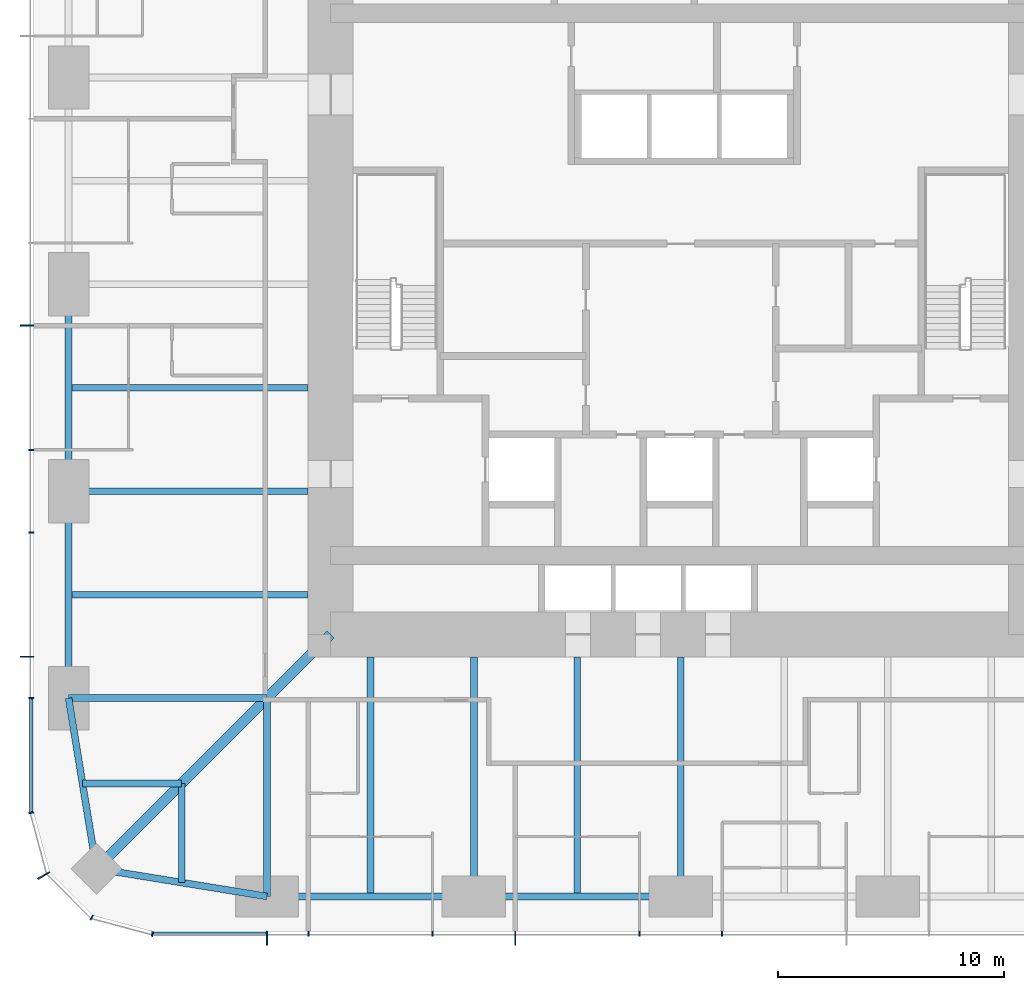
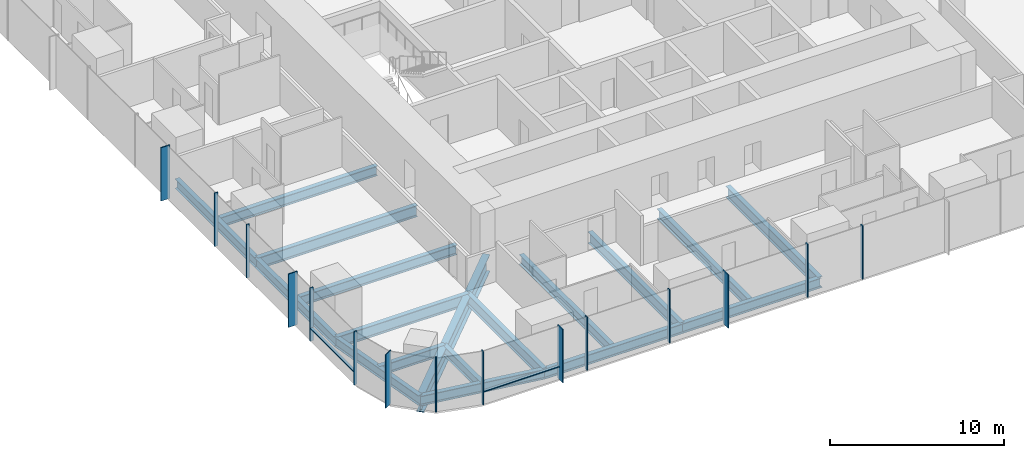
# One storey, part 2 of 13: 18 beams, 17 members, 3 elements without a shape of their own.
"""IFC4 building model written with IfcOpenShell, lengths in metres."""

from ifc_helpers import new_model, si_unit, direction, frame, origin, origin_2d, place, context, subcontext, project, spatial, rectangle, i_section, extrude, material, material_profile, profile_set, type_object, element, aggregate, save


model = new_model("IFC4")

# Units and contexts
model_context = context("Model", 3, precision=1e-05, world=origin(), true_north=direction((0.0, 1.0)))
body_context = subcontext(model_context, "Body", "Model", "MODEL_VIEW")
ifc_project = project(units=[si_unit("LENGTHUNIT", "METRE"), si_unit("AREAUNIT", "SQUARE_METRE"), si_unit("VOLUMEUNIT", "CUBIC_METRE"), si_unit("PLANEANGLEUNIT", "RADIAN"), si_unit("MASSUNIT", "GRAM", prefix="KILO")], contexts=[model_context])

# Site, building, storey
site_placement = place(None, origin())
site = spatial("IfcSite", under=ifc_project, at=site_placement, CompositionType="ELEMENT")
building_placement = place(site_placement, origin())
building = spatial("IfcBuilding", under=site, at=building_placement, Name="Khuree Lantern Residences", CompositionType="ELEMENT")
storey_placement = place(building_placement, frame((0.0, 0.0, 141.0)))
storey = spatial("IfcBuildingStorey", under=building, at=storey_placement, Name="L35", CompositionType="ELEMENT", Elevation=141.0)

# Beams
ifc_material_1 = material(Name="Steel S355", Category="steel")
ifc_material_profile_1 = material_profile(ifc_material_1, i_section(OverallWidth=0.300048828125, OverallDepth=0.68994140625, WebThickness=0.014404296875, FlangeThickness=0.027099609375, FilletRadius=0.027099609375, at=origin_2d()), Name="HE 700 A")
ifc_profile_set_1 = profile_set([ifc_material_profile_1], Name="Steel S355")
beam_type_1 = type_object("IfcBeamType", Name="B-23 SECONDARY BEAM HE 700 A", PredefinedType="BEAM", material=ifc_profile_set_1)
for number, where, z_axis, x_axis, name in (
    (1, (-4.580078125, -27.10009765625, -0.594970703125), (0.0, 1.0, 0.0), (-1.0, 0.0, 0.0), "Secondary beam S4"),
    (2, (-13.739990234375, -27.10009765625, -0.594970703125), (0.0, 1.0, 0.0), (-1.0, 0.0, 0.0), "Secondary beam S5"),
):
    element("IfcBeam", number, at=place(storey_placement, frame(where, z_axis=z_axis, x_axis=x_axis)), inside=storey, type_object=beam_type_1, Name=name, PredefinedType="BEAM", context=body_context, shape_type="SweptSolid", body=[
        extrude(i_section(OverallWidth=0.300048828125, OverallDepth=0.68994140625, WebThickness=0.014404296875, FlangeThickness=0.027099609375, FilletRadius=0.027099609375, at=origin_2d()), origin(), (0.0, 0.0, 1.0), 10.60009765625),
    ])
for number, where, z_axis, x_axis, name in (
    (3, (-22.094970703125, -26.48486328125, -0.594970703125), (0.0, 1.0, 0.0), (-1.0, 0.0, 0.0), "Secondary beam S6"),
    (4, (-26.48486328125, -22.094970703125, -0.594970703125), (1.0, 0.0, 0.0), (0.0, 1.0, 0.0), "Secondary beam W1"),
):
    element("IfcBeam", number, at=place(storey_placement, frame(where, z_axis=z_axis, x_axis=x_axis)), inside=storey, type_object=beam_type_1, Name=name, PredefinedType="BEAM", context=body_context, shape_type="SweptSolid", body=[
        extrude(i_section(OverallWidth=0.300048828125, OverallDepth=0.68994140625, WebThickness=0.014404296875, FlangeThickness=0.027099609375, FilletRadius=0.027099609375, at=origin_2d()), origin(), (0.0, 0.0, 1.0), 4.389892578125),
    ])
for number, where, z_axis, x_axis, name in (
    (5, (-27.10009765625, -13.739990234375, -0.594970703125), (1.0, 0.0, 0.0), (0.0, 1.0, 0.0), "Secondary beam W2"),
    (6, (-27.10009765625, -4.580078125, -0.594970703125), (1.0, 0.0, 0.0), (0.0, 1.0, 0.0), "Secondary beam W3"),
):
    element("IfcBeam", number, at=place(storey_placement, frame(where, z_axis=z_axis, x_axis=x_axis)), inside=storey, type_object=beam_type_1, Name=name, PredefinedType="BEAM", context=body_context, shape_type="SweptSolid", body=[
        extrude(i_section(OverallWidth=0.300048828125, OverallDepth=0.68994140625, WebThickness=0.014404296875, FlangeThickness=0.027099609375, FilletRadius=0.027099609375, at=origin_2d()), origin(), (0.0, 0.0, 1.0), 10.60009765625),
    ])
ifc_material_profile_2 = material_profile(ifc_material_1, i_section(OverallWidth=0.300048828125, OverallDepth=0.68994140625, WebThickness=0.014404296875, FlangeThickness=0.027099609375, FilletRadius=0.027099609375, at=origin_2d()), Name="HE 700 A")
ifc_profile_set_2 = profile_set([ifc_material_profile_2], Name="Steel S355")
beam_type_2 = type_object("IfcBeamType", Name="E-23 SPANDREL BEAM HE 700 A", PredefinedType="SPANDREL", material=ifc_profile_set_2)
beam_1_placement = place(storey_placement, frame((0.0, -27.10009765625, -0.594970703125), z_axis=(-1.0, 0.0, 0.0), x_axis=(0.0, -1.0, 0.0)))
element("IfcBeam", 7, at=beam_1_placement, inside=storey, type_object=beam_type_2, Name="Spandrel beam S4", PredefinedType="SPANDREL", context=body_context, shape_type="SweptSolid", body=[
    extrude(i_section(OverallWidth=0.300048828125, OverallDepth=0.68994140625, WebThickness=0.014404296875, FlangeThickness=0.027099609375, FilletRadius=0.027099609375, at=origin_2d()), origin(), (0.0, 0.0, 1.0), 9.159912109375),
])
beam_2_placement = place(storey_placement, frame((-9.159912109375, -27.10009765625, -0.594970703125), z_axis=(-1.0, 0.0, 0.0), x_axis=(0.0, -1.0, 0.0)))
element("IfcBeam", 8, at=beam_2_placement, inside=storey, type_object=beam_type_2, Name="Spandrel beam S5", PredefinedType="SPANDREL", context=body_context, shape_type="SweptSolid", body=[
    extrude(i_section(OverallWidth=0.300048828125, OverallDepth=0.68994140625, WebThickness=0.014404296875, FlangeThickness=0.027099609375, FilletRadius=0.027099609375, at=origin_2d()), origin(), (0.0, 0.0, 1.0), 9.16015625),
])
for number, where, z_axis, x_axis, name in (
    (9, (-18.320068359375, -27.10009765625, -0.594970703125), (-0.986982656839, 0.160826723833, 0.0), (-0.160826723833, -0.986982656839, 0.0), "Spandrel beam S6"),
    (10, (-25.869873046875, -25.869873046875, -0.594970703125), (-0.160826723833, 0.986982656839, 0.0), (-0.986982656839, -0.160826723833, 0.0), "Spandrel beam W1"),
):
    element("IfcBeam", number, at=place(storey_placement, frame(where, z_axis=z_axis, x_axis=x_axis)), inside=storey, type_object=beam_type_2, Name=name, PredefinedType="SPANDREL", context=body_context, shape_type="SweptSolid", body=[
        extrude(i_section(OverallWidth=0.300048828125, OverallDepth=0.68994140625, WebThickness=0.014404296875, FlangeThickness=0.027099609375, FilletRadius=0.027099609375, at=origin_2d()), origin(), (0.0, 0.0, 1.0), 7.6494140625),
    ])
beam_3_placement = place(storey_placement, frame((-27.10009765625, -18.320068359375, -0.594970703125), z_axis=(0.0, 1.0, 0.0), x_axis=(-1.0, 0.0, 0.0)))
element("IfcBeam", 11, at=beam_3_placement, inside=storey, type_object=beam_type_2, Name="Spandrel beam W2", PredefinedType="SPANDREL", context=body_context, shape_type="SweptSolid", body=[
    extrude(i_section(OverallWidth=0.300048828125, OverallDepth=0.68994140625, WebThickness=0.014404296875, FlangeThickness=0.027099609375, FilletRadius=0.027099609375, at=origin_2d()), origin(), (0.0, 0.0, 1.0), 9.16015625),
])
beam_4_placement = place(storey_placement, frame((-27.10009765625, -9.159912109375, -0.594970703125), z_axis=(0.0, 1.0, 0.0), x_axis=(-1.0, 0.0, 0.0)))
element("IfcBeam", 12, at=beam_4_placement, inside=storey, type_object=beam_type_2, Name="Spandrel beam W3", PredefinedType="SPANDREL", context=body_context, shape_type="SweptSolid", body=[
    extrude(i_section(OverallWidth=0.300048828125, OverallDepth=0.68994140625, WebThickness=0.014404296875, FlangeThickness=0.027099609375, FilletRadius=0.027099609375, at=origin_2d()), origin(), (0.0, 0.0, 1.0), 9.159912109375),
])

# Curtain wall, members
ifc_material_2 = material(Name="Bronze anodised aluminium", Category="aluminium")
curtain_wall_type_1 = type_object("IfcCurtainWallType", Name="CW-T1 TOWER FACE CURTAIN WALL", PredefinedType="USERDEFINED", material=ifc_material_2)
curtain_wall_1_placement = place(storey_placement, origin())
curtain_wall_1 = element("IfcCurtainWall", 13, at=curtain_wall_1_placement, inside=storey, type_object=curtain_wall_type_1, Name="L35 WEST FACE CURTAIN WALL", ObjectType="Stick-built curtain wall", PredefinedType="USERDEFINED")
ifc_material_profile_3 = material_profile(ifc_material_2, rectangle(XDim=0.06494140625, YDim=0.60009765625, at=origin_2d()), Name="F1 65X600")
ifc_profile_set_3 = profile_set([ifc_material_profile_3], Name="Bronze anodised aluminium")
member_type_1 = type_object("IfcMemberType", Name="F1 BRONZE FIN MULLION TOWER 65X600", PredefinedType="MULLION", material=ifc_profile_set_3)
member_1_placement = place(storey_placement, frame((-28.949951171875, -1.83203125, 0.0), z_axis=(0.0, 0.0, 1.0), x_axis=(0.0, -1.0, 0.0)))
member_1 = element("IfcMember", 14, at=member_1_placement, type_object=member_type_1, Name="L35 WEST FACE FIN MULLION 38", PredefinedType="MULLION", context=body_context, shape_type="SweptSolid", body=[
    extrude(rectangle(XDim=0.06494140625, YDim=0.60009765625, at=origin_2d()), origin(), (0.0, 0.0, 1.0), 3.75),
])
member_2_placement = place(storey_placement, frame((-28.949951171875, -16.488037109375, 0.0), z_axis=(0.0, 0.0, 1.0), x_axis=(0.0, -1.0, 0.0)))
member_2 = element("IfcMember", 15, at=member_2_placement, type_object=member_type_1, Name="L35 WEST FACE FIN MULLION 41", PredefinedType="MULLION", context=body_context, shape_type="SweptSolid", body=[
    extrude(rectangle(XDim=0.06494140625, YDim=0.60009765625, at=origin_2d()), origin(), (0.0, 0.0, 1.0), 3.75),
])

# Curtain wall, member
curtain_wall_type_2 = type_object("IfcCurtainWallType", Name="CW-T2 TOWER CORNER CURTAIN WALL", PredefinedType="USERDEFINED", material=ifc_material_2)
curtain_wall_2_placement = place(storey_placement, origin())
curtain_wall_2 = element("IfcCurtainWall", 16, at=curtain_wall_2_placement, inside=storey, type_object=curtain_wall_type_2, Name="L35 SOUTH-WEST CORNER CURTAIN WALL", ObjectType="Faceted corner curtain wall", PredefinedType="USERDEFINED")
member_3_placement = place(storey_placement, frame((-28.20654296875, -26.175048828125, 0.0), z_axis=(0.0, 0.0, 1.0), x_axis=(0.500000026995, -0.866025388199, 0.0)))
member_3 = element("IfcMember", 17, at=member_3_placement, type_object=member_type_1, Name="L35 SOUTH-WEST CORNER FIN MULLION 44", PredefinedType="MULLION", context=body_context, shape_type="SweptSolid", body=[
    extrude(rectangle(XDim=0.06494140625, YDim=0.60009765625, at=origin_2d()), origin(), (0.0, 0.0, 1.0), 3.75),
])

# Curtain wall, members
curtain_wall_3_placement = place(storey_placement, origin())
curtain_wall_3 = element("IfcCurtainWall", 18, at=curtain_wall_3_placement, inside=storey, type_object=curtain_wall_type_1, Name="L35 SOUTH FACE CURTAIN WALL", ObjectType="Stick-built curtain wall", PredefinedType="USERDEFINED")
member_4_placement = place(storey_placement, frame((-18.320068359375, -28.949951171875, 0.0), z_axis=(0.0, 0.0, 1.0), x_axis=(1.0, 0.0, 0.0)))
member_4 = element("IfcMember", 19, at=member_4_placement, type_object=member_type_1, Name="L35 SOUTH FACE FIN MULLION 47", PredefinedType="MULLION", context=body_context, shape_type="SweptSolid", body=[
    extrude(rectangle(XDim=0.06494140625, YDim=0.60009765625, at=origin_2d()), origin(), (0.0, 0.0, 1.0), 3.75),
])
member_5_placement = place(storey_placement, frame((-7.327880859375, -28.949951171875, 0.0), z_axis=(0.0, 0.0, 1.0), x_axis=(1.0, 0.0, 0.0)))
member_5 = element("IfcMember", 20, at=member_5_placement, type_object=member_type_1, Name="L35 SOUTH FACE FIN MULLION 50", PredefinedType="MULLION", context=body_context, shape_type="SweptSolid", body=[
    extrude(rectangle(XDim=0.06494140625, YDim=0.60009765625, at=origin_2d()), origin(), (0.0, 0.0, 1.0), 3.75),
])

# Beams
ifc_material_profile_4 = material_profile(ifc_material_1, i_section(OverallWidth=0.300048828125, OverallDepth=0.800048828125, WebThickness=0.017578125, FlangeThickness=0.032958984375, FilletRadius=0.030029296875, at=origin_2d()), Name="HE 800 B")
ifc_profile_set_4 = profile_set([ifc_material_profile_4], Name="Steel S355")
beam_type_3 = type_object("IfcBeamType", Name="G-23 GIRDER HE 800 B", PredefinedType="BEAM", material=ifc_profile_set_4)
for number, where, z_axis, x_axis, name in (
    (21, (0.0, -27.10009765625, -0.64990234375), (0.0, 1.0, 0.0), (-1.0, 0.0, 0.0), "Girder S3"),
    (22, (-9.159912109375, -27.10009765625, -0.64990234375), (0.0, 1.0, 0.0), (-1.0, 0.0, 0.0), "Girder S4"),
):
    element("IfcBeam", number, at=place(storey_placement, frame(where, z_axis=z_axis, x_axis=x_axis)), inside=storey, type_object=beam_type_3, Name=name, PredefinedType="BEAM", context=body_context, shape_type="SweptSolid", body=[
        extrude(i_section(OverallWidth=0.300048828125, OverallDepth=0.800048828125, WebThickness=0.017578125, FlangeThickness=0.032958984375, FilletRadius=0.030029296875, at=origin_2d()), origin(), (0.0, 0.0, 1.0), 10.60009765625),
    ])
for number, where, z_axis, x_axis, name in (
    (23, (-18.320068359375, -27.10009765625, -0.64990234375), (0.0, 1.0, 0.0), (-1.0, 0.0, 0.0), "Girder S5"),
    (24, (-27.10009765625, -18.320068359375, -0.64990234375), (1.0, 0.0, 0.0), (0.0, 1.0, 0.0), "Girder W1"),
):
    element("IfcBeam", number, at=place(storey_placement, frame(where, z_axis=z_axis, x_axis=x_axis)), inside=storey, type_object=beam_type_3, Name=name, PredefinedType="BEAM", context=body_context, shape_type="SweptSolid", body=[
        extrude(i_section(OverallWidth=0.300048828125, OverallDepth=0.800048828125, WebThickness=0.017578125, FlangeThickness=0.032958984375, FilletRadius=0.030029296875, at=origin_2d()), origin(), (0.0, 0.0, 1.0), 8.780029296875),
    ])
beam_5_placement = place(storey_placement, frame((-27.10009765625, -9.159912109375, -0.64990234375), z_axis=(1.0, 0.0, 0.0), x_axis=(0.0, 1.0, 0.0)))
element("IfcBeam", 25, at=beam_5_placement, inside=storey, type_object=beam_type_3, Name="Girder W2", PredefinedType="BEAM", context=body_context, shape_type="SweptSolid", body=[
    extrude(i_section(OverallWidth=0.300048828125, OverallDepth=0.800048828125, WebThickness=0.017578125, FlangeThickness=0.032958984375, FilletRadius=0.030029296875, at=origin_2d()), origin(), (0.0, 0.0, 1.0), 10.60009765625),
])
ifc_material_profile_5 = material_profile(ifc_material_1, i_section(OverallWidth=0.449951171875, OverallDepth=1.199951171875, WebThickness=0.02490234375, FlangeThickness=0.044921875, at=origin_2d()), Name="WELDED I 1200X450X25X45")
ifc_profile_set_5 = profile_set([ifc_material_profile_5], Name="Steel S355")
beam_type_4 = type_object("IfcBeamType", Name="GD-23 CORNER GIRDER WELDED I 1200X450X25X45", PredefinedType="BEAM", material=ifc_profile_set_5)
beam_6_placement = place(storey_placement, frame((-25.869873046875, -25.869873046875, -0.85009765625), z_axis=(0.707106781187, 0.707106781187, 0.0), x_axis=(-0.707106781187, 0.707106781187, 0.0)))
element("IfcBeam", 26, at=beam_6_placement, inside=storey, type_object=beam_type_4, Name="Corner girder SW", PredefinedType="BEAM", context=body_context, shape_type="SweptSolid", body=[
    extrude(i_section(OverallWidth=0.449951171875, OverallDepth=1.199951171875, WebThickness=0.02490234375, FlangeThickness=0.044921875, at=origin_2d()), origin(), (0.0, 0.0, 1.0), 14.665283203125),
])

# Member
ifc_material_profile_6 = material_profile(ifc_material_2, rectangle(XDim=0.06494140625, YDim=0.219970703125, at=origin_2d()), Name="M1 65X220")
ifc_profile_set_6 = profile_set([ifc_material_profile_6], Name="Bronze anodised aluminium")
member_type_2 = type_object("IfcMemberType", Name="M1 BRONZE MULLION TOWER 65X220", PredefinedType="MULLION", material=ifc_profile_set_6)
member_6_placement = place(storey_placement, frame((-28.760009765625, -7.327880859375, 0.0), z_axis=(0.0, 0.0, 1.0), x_axis=(0.0, -1.0, 0.0)))
member_6 = element("IfcMember", 27, at=member_6_placement, type_object=member_type_2, Name="L35 WEST FACE MULLION 39", PredefinedType="MULLION", context=body_context, shape_type="SweptSolid", body=[
    extrude(rectangle(XDim=0.06494140625, YDim=0.219970703125, at=origin_2d()), origin(), (0.0, 0.0, 1.0), 3.75),
])

member_7_placement = place(storey_placement, frame((-28.760009765625, -10.991943359375, 0.0), z_axis=(0.0, 0.0, 1.0), x_axis=(0.0, -1.0, 0.0)))
member_7 = element("IfcMember", 28, at=member_7_placement, type_object=member_type_2, Name="L35 WEST FACE MULLION 40", PredefinedType="MULLION", context=body_context, shape_type="SweptSolid", body=[
    extrude(rectangle(XDim=0.06494140625, YDim=0.219970703125, at=origin_2d()), origin(), (0.0, 0.0, 1.0), 3.75),
])

member_8_placement = place(storey_placement, frame((-28.760009765625, -18.320068359375, 0.0), z_axis=(0.0, 0.0, 1.0), x_axis=(0.0, -1.0, 0.0)))
member_8 = element("IfcMember", 29, at=member_8_placement, type_object=member_type_2, Name="L35 WEST FACE MULLION 42", PredefinedType="MULLION", context=body_context, shape_type="SweptSolid", body=[
    extrude(rectangle(XDim=0.06494140625, YDim=0.219970703125, at=origin_2d()), origin(), (0.0, 0.0, 1.0), 3.75),
])

member_9_placement = place(storey_placement, frame((-28.76171875, -23.39501953125, 0.0), z_axis=(0.0, 0.0, 1.0), x_axis=(0.130526223125, -0.991444857305, 0.0)))
member_9 = element("IfcMember", 30, at=member_9_placement, type_object=member_type_2, Name="L35 SOUTH-WEST CORNER MULLION 43", PredefinedType="MULLION", context=body_context, shape_type="SweptSolid", body=[
    extrude(rectangle(XDim=0.06494140625, YDim=0.219970703125, at=origin_2d()), origin(), (0.0, 0.0, 1.0), 3.75),
])

member_10_placement = place(storey_placement, frame((-26.080078125, -28.0419921875, 0.0), z_axis=(0.0, 0.0, 1.0), x_axis=(0.866025388199, -0.500000026995, 0.0)))
member_10 = element("IfcMember", 31, at=member_10_placement, type_object=member_type_2, Name="L35 SOUTH-WEST CORNER MULLION 45", PredefinedType="MULLION", context=body_context, shape_type="SweptSolid", body=[
    extrude(rectangle(XDim=0.06494140625, YDim=0.219970703125, at=origin_2d()), origin(), (0.0, 0.0, 1.0), 3.75),
])

aggregate(curtain_wall_2, [member_9, member_3, member_10])

member_11_placement = place(storey_placement, frame((-23.39501953125, -28.76171875, 0.0), z_axis=(0.0, 0.0, 1.0), x_axis=(0.991444857305, -0.130526223125, 0.0)))
member_11 = element("IfcMember", 32, at=member_11_placement, type_object=member_type_2, Name="L35 SOUTH FACE MULLION 46", PredefinedType="MULLION", context=body_context, shape_type="SweptSolid", body=[
    extrude(rectangle(XDim=0.06494140625, YDim=0.219970703125, at=origin_2d()), origin(), (0.0, 0.0, 1.0), 3.75),
])

member_12_placement = place(storey_placement, frame((-16.488037109375, -28.760009765625, 0.0), z_axis=(0.0, 0.0, 1.0), x_axis=(1.0, 0.0, 0.0)))
member_12 = element("IfcMember", 33, at=member_12_placement, type_object=member_type_2, Name="L35 SOUTH FACE MULLION 48", PredefinedType="MULLION", context=body_context, shape_type="SweptSolid", body=[
    extrude(rectangle(XDim=0.06494140625, YDim=0.219970703125, at=origin_2d()), origin(), (0.0, 0.0, 1.0), 3.75),
])

member_13_placement = place(storey_placement, frame((-10.991943359375, -28.760009765625, 0.0), z_axis=(0.0, 0.0, 1.0), x_axis=(1.0, 0.0, 0.0)))
member_13 = element("IfcMember", 34, at=member_13_placement, type_object=member_type_2, Name="L35 SOUTH FACE MULLION 49", PredefinedType="MULLION", context=body_context, shape_type="SweptSolid", body=[
    extrude(rectangle(XDim=0.06494140625, YDim=0.219970703125, at=origin_2d()), origin(), (0.0, 0.0, 1.0), 3.75),
])

member_14_placement = place(storey_placement, frame((-1.83203125, -28.760009765625, 0.0), z_axis=(0.0, 0.0, 1.0), x_axis=(1.0, 0.0, 0.0)))
member_14 = element("IfcMember", 35, at=member_14_placement, type_object=member_type_2, Name="L35 SOUTH FACE MULLION 51", PredefinedType="MULLION", context=body_context, shape_type="SweptSolid", body=[
    extrude(rectangle(XDim=0.06494140625, YDim=0.219970703125, at=origin_2d()), origin(), (0.0, 0.0, 1.0), 3.75),
])

member_15_placement = place(storey_placement, frame((1.83203125, -28.760009765625, 0.0), z_axis=(0.0, 0.0, 1.0), x_axis=(1.0, 0.0, 0.0)))
member_15 = element("IfcMember", 36, at=member_15_placement, type_object=member_type_2, Name="L35 SOUTH FACE MULLION 52", PredefinedType="MULLION", context=body_context, shape_type="SweptSolid", body=[
    extrude(rectangle(XDim=0.06494140625, YDim=0.219970703125, at=origin_2d()), origin(), (0.0, 0.0, 1.0), 3.75),
])

ifc_material_profile_7 = material_profile(ifc_material_2, rectangle(XDim=0.179931640625, YDim=0.06494140625, at=origin_2d()), Name="T1 180X65")
ifc_profile_set_7 = profile_set([ifc_material_profile_7], Name="Bronze anodised aluminium")
member_type_3 = type_object("IfcMemberType", Name="TRANSOM T1 TOWER 180X65", PredefinedType="USERDEFINED", material=ifc_profile_set_7)
member_16_placement = place(storey_placement, frame((-28.77001953125, -18.3525390625, 0.89990234375), z_axis=(0.0, -1.0, 0.0), x_axis=(1.0, 0.0, 0.0)))
member_16 = element("IfcMember", 37, at=member_16_placement, type_object=member_type_3, Name="L35 WEST FACE TRANSOM 42.1", ObjectType="Transom", PredefinedType="USERDEFINED", context=body_context, shape_type="SweptSolid", body=[
    extrude(rectangle(XDim=0.179931640625, YDim=0.06494140625, at=origin_2d()), origin(), (0.0, 0.0, 1.0), 4.998779296875),
])

aggregate(curtain_wall_1, [member_1, member_6, member_7, member_2, member_8, member_16])

member_17_placement = place(storey_placement, frame((-23.351318359375, -28.77001953125, 0.89990234375), z_axis=(1.0, 0.0, 0.0), x_axis=(0.0, 1.0, 0.0)))
member_17 = element("IfcMember", 38, at=member_17_placement, type_object=member_type_3, Name="L35 SOUTH FACE TRANSOM 46.1", ObjectType="Transom", PredefinedType="USERDEFINED", context=body_context, shape_type="SweptSolid", body=[
    extrude(rectangle(XDim=0.179931640625, YDim=0.06494140625, at=origin_2d()), origin(), (0.0, 0.0, 1.0), 4.998779296875),
])

aggregate(curtain_wall_3, [member_11, member_4, member_12, member_13, member_5, member_14, member_15, member_17])

save(model, "model.ifc")
